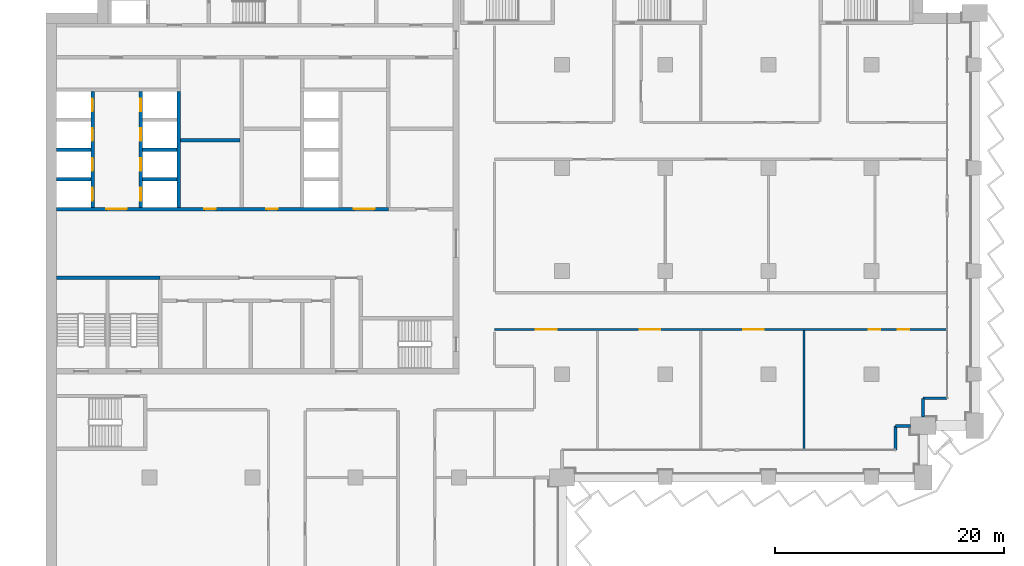
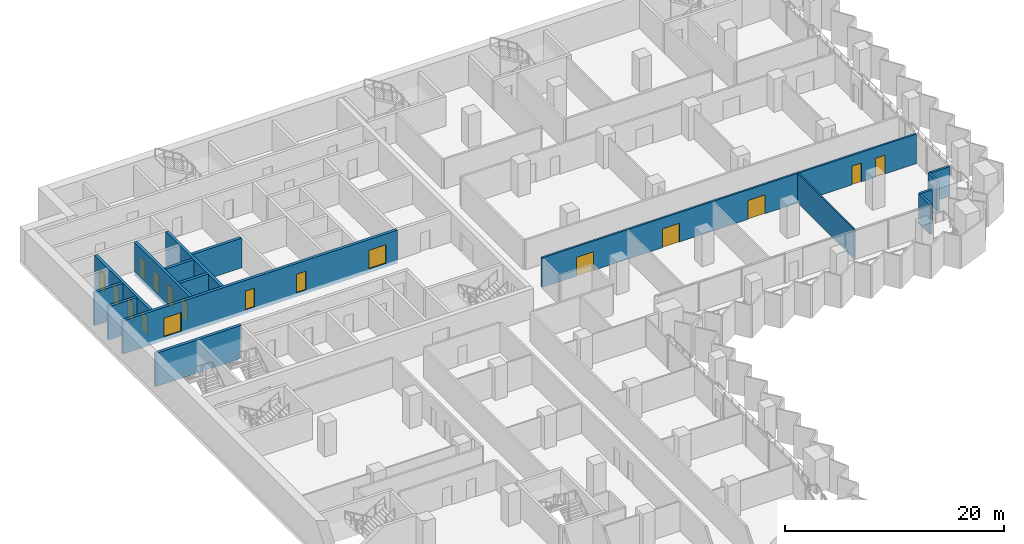
# One storey, part 12 of 22: 17 doors, 16 walls, 17 openings.
"""IFC4 building model written with IfcOpenShell, lengths in metres."""

import ifcopenshell
import ifcopenshell.guid

model = None  # the IFC model being written
_history = None  # IfcOwnerHistory: only IFC2X3 demands one
_inside = {}  # id of a spatial element -> (the spatial element, [elements in it])
_under = {}  # id of a project, library or spatial element -> (it, [spatial elements below it])
_declared = {}  # id of a project -> (the project, [libraries it declares])
_typed = {}  # id of a type object -> (the type object, [elements of that type])
_made_of = {}  # id of a material, layer set ... -> (it, [elements and type objects made of it])


def new_model(schema):
    """Start an empty IFC model of exactly this schema.

    Asked for "IFC4X3", IfcOpenShell would pick the latest addendum, in which some entities
    have other attributes; the version numbers below select the first issue.
    IFC2X3 requires an IfcOwnerHistory on every rooted entity: one is made here for all.
    """
    global model, _history
    if schema == "IFC4X3":
        model = ifcopenshell.file(schema_version=(4, 3, 0, 0))
    else:
        model = ifcopenshell.file(schema=schema)
    _inside.clear()
    _under.clear()
    _declared.clear()
    _typed.clear()
    _made_of.clear()
    _history = None
    if model.schema == "IFC2X3":
        org = make("IfcOrganization", Name="unknown")
        user = make(
            "IfcPersonAndOrganization",
            ThePerson=make("IfcPerson", FamilyName="unknown"),
            TheOrganization=org,
        )
        app = make(
            "IfcApplication",
            ApplicationDeveloper=org,
            Version="unknown",
            ApplicationFullName="unknown",
            ApplicationIdentifier="unknown",
        )
        _history = make(
            "IfcOwnerHistory",
            OwningUser=user,
            OwningApplication=app,
            ChangeAction="ADDED",
            CreationDate=0,
        )
    return model


def make(cls, **values):
    """One entity of the class cls with the attributes given. An attribute that is None is left unset."""
    return model.create_entity(
        cls, **{name: value for name, value in values.items() if value is not None}
    )


def rooted(cls, **values):
    """An entity with a GlobalId (a new one), such as an element, a storey or a relation."""
    return make(cls, GlobalId=ifcopenshell.guid.new(), OwnerHistory=_history, **values)


def si_unit(unit_type, name, prefix=None):
    """IfcSIUnit, for example si_unit("LENGTHUNIT", "METRE", prefix="MILLI")."""
    return make("IfcSIUnit", UnitType=unit_type, Prefix=prefix, Name=name)


def assignment(units):
    """IfcUnitAssignment: the units of a project."""
    return None if units is None else make("IfcUnitAssignment", Units=units)


def point(xyz):
    """IfcCartesianPoint."""
    return None if xyz is None else make("IfcCartesianPoint", Coordinates=xyz)


def direction(xyz):
    """IfcDirection."""
    return None if xyz is None else make("IfcDirection", DirectionRatios=xyz)


def frame(location, z_axis=None, x_axis=None):
    """IfcAxis2Placement3D, a coordinate frame: its origin and axes. An axis left out is left unset."""
    return make(
        "IfcAxis2Placement3D",
        Location=point(location),
        Axis=direction(z_axis),
        RefDirection=direction(x_axis),
    )


def frame_2d(location, x_axis=None):
    """IfcAxis2Placement2D, a coordinate frame in the plane: its origin and x axis."""
    return make(
        "IfcAxis2Placement2D", Location=point(location), RefDirection=direction(x_axis)
    )


def origin():
    """The frame at (0, 0, 0) with its axes left unset."""
    return frame((0.0, 0.0, 0.0))


def place(relative_to, where):
    """IfcLocalPlacement: puts the frame where relative to a parent placement (None: the world)."""
    return make(
        "IfcLocalPlacement", PlacementRelTo=relative_to, RelativePlacement=where
    )


def context(
    kind, dimensions, precision=None, world=None, true_north=None, identifier=None
):
    """IfcGeometricRepresentationContext, for example the 3D "Model" context."""
    return make(
        "IfcGeometricRepresentationContext",
        ContextIdentifier=identifier,
        ContextType=kind,
        CoordinateSpaceDimension=dimensions,
        Precision=precision,
        WorldCoordinateSystem=world,
        TrueNorth=true_north,
    )


def subcontext(parent, identifier, kind, view, scale=None):
    """IfcGeometricRepresentationSubContext, for example "Body" below "Model"."""
    return make(
        "IfcGeometricRepresentationSubContext",
        ContextIdentifier=identifier,
        ContextType=kind,
        ParentContext=parent,
        TargetScale=scale,
        TargetView=view,
    )


def project(units=None, contexts=None):
    """IfcProject with its units and contexts."""
    return rooted(
        "IfcProject",
        Name="project",
        RepresentationContexts=contexts,
        UnitsInContext=assignment(units),
    )


def spatial(cls, under=None, at=None, **own):
    """A site, building, storey or space (cls), placed at a placement, below another one or the project."""
    s = rooted(cls, ObjectPlacement=at, **own)
    if under is not None:
        _under.setdefault(under.id(), (under, []))[1].append(s)
    return s


def profile(cls, at=None, kind="AREA", **sizes):
    """A parametric profile (cls). Its sizes go by their IFC names, for example OverallWidth=200.0."""
    return make(cls, ProfileType=kind, Position=at, **sizes)


def rectangle(**sizes):
    """IfcRectangleProfileDef."""
    return profile("IfcRectangleProfileDef", **sizes)


def extrude(swept, where, along, depth):
    """IfcExtrudedAreaSolid: the profile swept, set in the frame where, extruded along a direction by depth."""
    return make(
        "IfcExtrudedAreaSolid",
        SweptArea=swept,
        Position=where,
        ExtrudedDirection=direction(along),
        Depth=depth,
    )


def shape(context_of_items, identifier, shape_type, items):
    """IfcShapeRepresentation: the items that make up one representation, for example the "Body"."""
    return make(
        "IfcShapeRepresentation",
        ContextOfItems=context_of_items,
        RepresentationIdentifier=identifier,
        RepresentationType=shape_type,
        Items=items,
    )


def material(Name=None, Category=None):
    """IfcMaterial."""
    return make("IfcMaterial", Name=Name, Category=Category)


def layer(
    of_material, thickness, ventilated=None, Name=None, Category=None, Priority=None
):
    """IfcMaterialLayer: one layer of a wall or slab, of a material (None: an air gap)."""
    return make(
        "IfcMaterialLayer",
        Material=of_material,
        LayerThickness=thickness,
        IsVentilated=ventilated,
        Name=Name,
        Category=Category,
        Priority=Priority,
    )


def layer_set(layers, Name=None):
    """IfcMaterialLayerSet."""
    return make("IfcMaterialLayerSet", MaterialLayers=layers, LayerSetName=Name)


def made_of(thing, what):
    """Note that an element or type object is made of a material, layer set ...; save() writes the relation."""
    if what is not None:
        _made_of.setdefault(what.id(), (what, []))[1].append(thing)
    return thing


def type_object(cls, material=None, **own):
    """A type object (cls), such as IfcWallType, which elements share."""
    return made_of(rooted(cls, **own), material)


def element(
    cls,
    number,
    at=None,
    inside=None,
    cuts=None,
    type_object=None,
    material=None,
    context=None,
    identifier="Body",
    shape_type=None,
    held_by="IfcProductDefinitionShape",
    body=None,
    shapes=None,
    **own,
):
    """One element of the class cls, such as IfcWall. Its Tag is "e" and its number.

    at: its placement. inside: the storey or other place that contains it. cuts: it is an
    opening in that element (IfcRelVoidsElement). A single representation is given by context,
    identifier, shape_type and body (its items); several are given by shapes. held_by: the class
    of the entity that holds the representations. save() writes the other relations.
    """
    e = rooted(cls, Tag="e%d" % number, ObjectPlacement=at, **own)
    if body is not None:
        shapes = [shape(context, identifier, shape_type, body)]
    if shapes is not None:
        e.Representation = make(held_by, Representations=shapes)
    if inside is not None:
        _inside.setdefault(inside.id(), (inside, []))[1].append(e)
    if cuts is not None:
        rooted(
            "IfcRelVoidsElement", RelatingBuildingElement=cuts, RelatedOpeningElement=e
        )
    if type_object is not None:
        _typed.setdefault(type_object.id(), (type_object, []))[1].append(e)
    return made_of(e, material)


def fill(opening, filler):
    """IfcRelFillsElement: the door or window that sits in an opening."""
    return rooted(
        "IfcRelFillsElement",
        RelatingOpeningElement=opening,
        RelatedBuildingElement=filler,
    )


def aggregate(whole, parts):
    """IfcRelAggregates: a whole, such as a stair, and the parts it consists of."""
    return rooted("IfcRelAggregates", RelatingObject=whole, RelatedObjects=parts)


def save(model, path):
    """Write the relations noted so far, then the file.

    IfcRelAggregates (storeys below a building ...), IfcRelContainedInSpatialStructure (elements
    in a storey), IfcRelDefinesByType, IfcRelAssociatesMaterial and IfcRelDeclares: one each for
    every whole, place, type object, material and project.
    """
    for whole, parts in _under.values():
        aggregate(whole, parts)
    for where, things in _inside.values():
        rooted(
            "IfcRelContainedInSpatialStructure",
            RelatedElements=things,
            RelatingStructure=where,
        )
    for kind, things in _typed.values():
        rooted("IfcRelDefinesByType", RelatedObjects=things, RelatingType=kind)
    for what, things in _made_of.values():
        rooted("IfcRelAssociatesMaterial", RelatedObjects=things, RelatingMaterial=what)
    for by, libraries in _declared.values():
        rooted("IfcRelDeclares", RelatingContext=by, RelatedDefinitions=libraries)
    model.write(path)


model = new_model("IFC4")

# Units and contexts
model_context = context("Model", 3, precision=1e-05, world=origin(), true_north=direction((0.0, 1.0)))
body_context = subcontext(model_context, "Body", "Model", "MODEL_VIEW")
ifc_project = project(units=[si_unit("LENGTHUNIT", "METRE"), si_unit("AREAUNIT", "SQUARE_METRE"), si_unit("VOLUMEUNIT", "CUBIC_METRE"), si_unit("PLANEANGLEUNIT", "RADIAN"), si_unit("MASSUNIT", "GRAM", prefix="KILO")], contexts=[model_context])

# Site, building, storey
site_placement = place(None, origin())
site = spatial("IfcSite", under=ifc_project, at=site_placement, CompositionType="ELEMENT")
building_placement = place(site_placement, origin())
building = spatial("IfcBuilding", under=site, at=building_placement, Name="Hunhe Ridgeline Campus", CompositionType="ELEMENT")
storey_placement = place(building_placement, frame((0.0, 0.0, 92.199951171875)))
storey = spatial("IfcBuildingStorey", under=building, at=storey_placement, Name="L22", CompositionType="ELEMENT", Elevation=92.199951171875)

# Walls
ifc_material_1 = material(Name="Masonry concrete blockwork", Category="masonry")
ifc_layer_1 = layer(ifc_material_1, 0.300048828125)
ifc_layer_set_1 = layer_set([ifc_layer_1], Name="Core room partition 300 concrete block")
wall_type_1 = type_object("IfcWallType", Name="Core room partition 300 concrete block", PredefinedType="PARTITIONING", material=ifc_layer_set_1)
wall_1_placement = place(storey_placement, frame((11.699951171875, 83.39990234375, 0.0), z_axis=(0.0, 0.0, 1.0), x_axis=(1.0, 0.0, 0.0)))
element("IfcWall", 1, at=wall_1_placement, inside=storey, type_object=wall_type_1, Name="L22 core partition 20", PredefinedType="PARTITIONING", context=body_context, shape_type="SweptSolid", body=[
    extrude(rectangle(XDim=5.199951171875, YDim=0.300048828125, at=frame_2d((2.60009765625, 0.0))), origin(), (0.0, 0.0, 1.0), 3.300048828125),
])
ifc_material_2 = material(Name="Concrete C30", Category="concrete")
ifc_layer_2 = layer(ifc_material_2, 0.25)
ifc_layer_set_2 = layer_set([ifc_layer_2], Name="Corner return wall 250 Concrete C30")
wall_type_2 = type_object("IfcWallType", Name="Corner return wall 250 Concrete C30", PredefinedType="SOLIDWALL", material=ifc_layer_set_2)
wall_2_placement = place(storey_placement, frame((74.09912109375, 56.40087890625, 0.0), z_axis=(0.0, 0.0, 1.0), x_axis=(0.00011626555, 0.999999993241, 0.0)))
element("IfcWall", 2, at=wall_2_placement, inside=storey, type_object=wall_type_2, Name="Corner return wall 4", PredefinedType="SOLIDWALL", context=body_context, shape_type="SweptSolid", body=[
    extrude(rectangle(XDim=2.099853515625, YDim=0.25, at=frame_2d((1.0498046875, 0.0))), origin(), (0.0, 0.0, 1.0), 3.300048828125),
])
wall_3_placement = place(storey_placement, frame((74.099365234375, 58.500732421875, 0.0), z_axis=(0.0, 0.0, 1.0), x_axis=(0.99999998238, 0.000187722918, 0.0)))
element("IfcWall", 3, at=wall_3_placement, inside=storey, type_object=wall_type_2, Name="Corner return wall 5", PredefinedType="SOLIDWALL", context=body_context, shape_type="SweptSolid", body=[
    extrude(rectangle(XDim=1.300537109375, YDim=0.25, at=frame_2d((0.650390625, 0.0))), origin(), (0.0, 0.0, 1.0), 3.300048828125),
])
wall_4_placement = place(storey_placement, frame((76.4990234375, 59.25, 0.0), z_axis=(0.0, 0.0, 1.0), x_axis=(0.000147907113, 0.999999989062, 0.0)))
element("IfcWall", 4, at=wall_4_placement, inside=storey, type_object=wall_type_2, Name="Corner return wall 6", PredefinedType="SOLIDWALL", context=body_context, shape_type="SweptSolid", body=[
    extrude(rectangle(XDim=1.650634765625, YDim=0.25, at=frame_2d((0.8251953125, 0.0))), origin(), (0.0, 0.0, 1.0), 3.300048828125),
])
wall_5_placement = place(storey_placement, frame((76.499267578125, 60.900634765625, 0.0), z_axis=(0.0, 0.0, 1.0), x_axis=(0.999999993241, 0.00011626555, 0.0)))
element("IfcWall", 5, at=wall_5_placement, inside=storey, type_object=wall_type_2, Name="Corner return wall 7", PredefinedType="SOLIDWALL", context=body_context, shape_type="SweptSolid", body=[
    extrude(rectangle(XDim=2.099853515625, YDim=0.25, at=frame_2d((1.0498046875, 0.0))), origin(), (0.0, 0.0, 1.0), 3.300048828125),
])

# Wall, openings, doors
ifc_material_3 = material(Name="Gypsum board partition")
ifc_layer_3 = layer(ifc_material_3, 0.199951171875)
ifc_layer_set_3 = layer_set([ifc_layer_3], Name="Corridor partition 200 gypsum board on steel studs")
wall_type_3 = type_object("IfcWallType", Name="Corridor partition 200 gypsum board on steel studs", PredefinedType="PARTITIONING", material=ifc_layer_set_3)
wall_6_placement = place(storey_placement, frame((78.544921875, 66.89990234375, 0.0), z_axis=(0.0, 0.0, 1.0), x_axis=(-1.0, 0.0, 0.0)))
wall_6 = element("IfcWall", 6, at=wall_6_placement, inside=storey, type_object=wall_type_3, Name="F-L22-wall-038", PredefinedType="PARTITIONING", context=body_context, shape_type="SweptSolid", body=[
    extrude(rectangle(XDim=39.44482421875, YDim=0.199951171875, at=frame_2d((19.722412109375, 0.0))), origin(), (0.0, 0.0, 1.0), 3.300048828125),
])
opening_1_placement = place(wall_6_placement, frame((34.022705078125, 0.0, 0.0)))
opening_1 = element("IfcOpeningElement", 7, at=opening_1_placement, cuts=wall_6, Name="Opening RD2-022", PredefinedType="OPENING", context=body_context, shape_type="SweptSolid", body=[
    extrude(rectangle(XDim=1.800048828125, YDim=2.10009765625, at=frame_2d((0.89990234375, 1.050048828125))), frame((0.0, 0.10009765625, 0.0), z_axis=(0.0, -1.0, 0.0), x_axis=(1.0, 0.0, 0.0)), (0.0, 0.0, 1.0), 0.199951171875),
])
opening_2_placement = place(wall_6_placement, frame((24.977783203125, 0.0, 0.0)))
opening_2 = element("IfcOpeningElement", 8, at=opening_2_placement, cuts=wall_6, Name="Opening RD2-023", PredefinedType="OPENING", context=body_context, shape_type="SweptSolid", body=[
    extrude(rectangle(XDim=1.800048828125, YDim=2.10009765625, at=frame_2d((0.89990234375, 1.050048828125))), frame((0.0, 0.10009765625, 0.0), z_axis=(0.0, -1.0, 0.0), x_axis=(1.0, 0.0, 0.0)), (0.0, 0.0, 1.0), 0.199951171875),
])
opening_3_placement = place(wall_6_placement, frame((15.93310546875, 0.0, 0.0)))
opening_3 = element("IfcOpeningElement", 9, at=opening_3_placement, cuts=wall_6, Name="Opening RD2-024", PredefinedType="OPENING", context=body_context, shape_type="SweptSolid", body=[
    extrude(rectangle(XDim=1.800048828125, YDim=2.10009765625, at=frame_2d((0.89990234375, 1.050048828125))), frame((0.0, 0.10009765625, 0.0), z_axis=(0.0, -1.0, 0.0), x_axis=(1.0, 0.0, 0.0)), (0.0, 0.0, 1.0), 0.199951171875),
])
opening_4_placement = place(wall_6_placement, frame((5.781005859375, 0.0, 0.0)))
opening_4 = element("IfcOpeningElement", 10, at=opening_4_placement, cuts=wall_6, Name="Opening RD1-025", PredefinedType="OPENING", context=body_context, shape_type="SweptSolid", body=[
    extrude(rectangle(XDim=1.0, YDim=2.10009765625, at=frame_2d((0.5, 1.050048828125))), frame((0.0, 0.10009765625, 0.0), z_axis=(0.0, -1.0, 0.0), x_axis=(1.0, 0.0, 0.0)), (0.0, 0.0, 1.0), 0.199951171875),
])
opening_5_placement = place(wall_6_placement, frame((3.281005859375, 0.0, 0.0)))
opening_5 = element("IfcOpeningElement", 11, at=opening_5_placement, cuts=wall_6, Name="Opening RD1-026", PredefinedType="OPENING", context=body_context, shape_type="SweptSolid", body=[
    extrude(rectangle(XDim=1.0, YDim=2.10009765625, at=frame_2d((0.5, 1.050048828125))), frame((0.0, 0.10009765625, 0.0), z_axis=(0.0, -1.0, 0.0), x_axis=(1.0, 0.0, 0.0)), (0.0, 0.0, 1.0), 0.199951171875),
])
ifc_material_4 = material(Name="Timber door leaf", Category="wood")
door_type_1 = type_object("IfcDoorType", Name="Double fire door 1800x2100 timber FD60", OperationType="DOUBLE_DOOR_SINGLE_SWING", PredefinedType="DOOR", material=ifc_material_4)
door_1_placement = place(opening_1_placement, origin())
door_1 = element("IfcDoor", 12, at=door_1_placement, inside=storey, type_object=door_type_1, Name="F-L22-door-022", OperationType="DOUBLE_DOOR_SINGLE_SWING", OverallHeight=2.10009765625, OverallWidth=1.800048828125, PredefinedType="DOOR", context=body_context, shape_type="SweptSolid", body=[
    extrude(rectangle(XDim=1.800048828125, YDim=2.10009765625, at=frame_2d((0.89990234375, 1.050048828125))), frame((0.0, 0.02490234375, 0.0), z_axis=(0.0, -1.0, 0.0), x_axis=(1.0, 0.0, 0.0)), (0.0, 0.0, 1.0), 0.050048828125),
])
fill(opening_1, door_1)
door_2_placement = place(opening_2_placement, origin())
door_2 = element("IfcDoor", 13, at=door_2_placement, inside=storey, type_object=door_type_1, Name="F-L22-door-023", OperationType="DOUBLE_DOOR_SINGLE_SWING", OverallHeight=2.10009765625, OverallWidth=1.800048828125, PredefinedType="DOOR", context=body_context, shape_type="SweptSolid", body=[
    extrude(rectangle(XDim=1.800048828125, YDim=2.10009765625, at=frame_2d((0.89990234375, 1.050048828125))), frame((0.0, 0.02490234375, 0.0), z_axis=(0.0, -1.0, 0.0), x_axis=(1.0, 0.0, 0.0)), (0.0, 0.0, 1.0), 0.050048828125),
])
fill(opening_2, door_2)
door_3_placement = place(opening_3_placement, origin())
door_3 = element("IfcDoor", 14, at=door_3_placement, inside=storey, type_object=door_type_1, Name="F-L22-door-024", OperationType="DOUBLE_DOOR_SINGLE_SWING", OverallHeight=2.10009765625, OverallWidth=1.800048828125, PredefinedType="DOOR", context=body_context, shape_type="SweptSolid", body=[
    extrude(rectangle(XDim=1.800048828125, YDim=2.10009765625, at=frame_2d((0.89990234375, 1.050048828125))), frame((0.0, 0.02490234375, 0.0), z_axis=(0.0, -1.0, 0.0), x_axis=(1.0, 0.0, 0.0)), (0.0, 0.0, 1.0), 0.050048828125),
])
fill(opening_3, door_3)
door_type_2 = type_object("IfcDoorType", Name="Single fire door 1000x2100 timber FD60", OperationType="NOTDEFINED", PredefinedType="DOOR", material=ifc_material_4)
door_4_placement = place(opening_4_placement, frame((1.0, 0.0, 0.0), z_axis=(0.0, 0.0, 1.0), x_axis=(-1.0, 0.0, 0.0)))
door_4 = element("IfcDoor", 15, at=door_4_placement, inside=storey, type_object=door_type_2, Name="F-L22-door-025", OperationType="SINGLE_SWING_RIGHT", OverallHeight=2.10009765625, OverallWidth=1.0, PredefinedType="DOOR", context=body_context, shape_type="SweptSolid", body=[
    extrude(rectangle(XDim=1.0, YDim=2.10009765625, at=frame_2d((0.5, 1.050048828125))), frame((0.0, 0.02490234375, 0.0), z_axis=(0.0, -1.0, 0.0), x_axis=(1.0, 0.0, 0.0)), (0.0, 0.0, 1.0), 0.050048828125),
])
fill(opening_4, door_4)
door_5_placement = place(opening_5_placement, frame((1.0, 0.0, 0.0), z_axis=(0.0, 0.0, 1.0), x_axis=(-1.0, 0.0, 0.0)))
door_5 = element("IfcDoor", 16, at=door_5_placement, inside=storey, type_object=door_type_2, Name="F-L22-door-026", OperationType="SINGLE_SWING_RIGHT", OverallHeight=2.10009765625, OverallWidth=1.0, PredefinedType="DOOR", context=body_context, shape_type="SweptSolid", body=[
    extrude(rectangle(XDim=1.0, YDim=2.10009765625, at=frame_2d((0.5, 1.050048828125))), frame((0.0, 0.02490234375, 0.0), z_axis=(0.0, -1.0, 0.0), x_axis=(1.0, 0.0, 0.0)), (0.0, 0.0, 1.0), 0.050048828125),
])
fill(opening_5, door_5)

# Wall
ifc_layer_4 = layer(ifc_material_3, 0.14990234375)
ifc_layer_set_4 = layer_set([ifc_layer_4], Name="Room partition 150 gypsum board on steel studs")
wall_type_4 = type_object("IfcWallType", Name="Room partition 150 gypsum board on steel studs", PredefinedType="PARTITIONING", material=ifc_layer_set_4)
wall_7_placement = place(storey_placement, frame((66.10009765625, 66.800048828125, 0.0), z_axis=(0.0, 0.0, 1.0), x_axis=(0.0, -1.0, 0.0)))
element("IfcWall", 17, at=wall_7_placement, inside=storey, type_object=wall_type_4, Name="F-L22-wall-069", PredefinedType="PARTITIONING", context=body_context, shape_type="SweptSolid", body=[
    extrude(rectangle(XDim=10.344970703125, YDim=0.14990234375, at=frame_2d((5.17236328125, 0.0))), origin(), (0.0, 0.0, 1.0), 3.300048828125),
])

# Wall, openings, doors
ifc_material_5 = material(Name="Concrete C80", Category="concrete")
ifc_layer_5 = layer(ifc_material_5, 0.300048828125)
ifc_layer_set_5 = layer_set([ifc_layer_5], Name="Shaft wall 300 reinforced concrete C80")
wall_type_5 = type_object("IfcWallType", Name="Shaft wall 300 reinforced concrete C80", PredefinedType="SOLIDWALL", material=ifc_layer_set_5)
wall_8_placement = place(storey_placement, frame((0.89990234375, 77.39990234375, -0.39990234375), z_axis=(0.0, 0.0, 1.0), x_axis=(1.0, 0.0, 0.0)))
wall_8 = element("IfcWall", 18, at=wall_8_placement, inside=storey, type_object=wall_type_5, Name="L22 core wall 12", PredefinedType="SOLIDWALL", context=body_context, shape_type="SweptSolid", body=[
    extrude(rectangle(XDim=28.9501953125, YDim=0.300048828125, at=frame_2d((14.47509765625, 0.0))), origin(), (0.0, 0.0, 1.0), 3.699951171875),
])
opening_6_placement = place(wall_8_placement, frame((4.35009765625, 0.0, 0.39990234375)))
opening_6 = element("IfcOpeningElement", 19, at=opening_6_placement, cuts=wall_8, Name="Opening CD1", PredefinedType="OPENING", context=body_context, shape_type="SweptSolid", body=[
    extrude(rectangle(XDim=1.800048828125, YDim=2.10009765625, at=frame_2d((0.89990234375, 1.050048828125))), frame((0.0, 0.14990234375, 0.0), z_axis=(0.0, -1.0, 0.0), x_axis=(1.0, 0.0, 0.0)), (0.0, 0.0, 1.0), 0.300048828125),
])
opening_7_placement = place(wall_8_placement, frame((25.949951171875, 0.0, 0.39990234375)))
opening_7 = element("IfcOpeningElement", 20, at=opening_7_placement, cuts=wall_8, Name="Opening CD2", PredefinedType="OPENING", context=body_context, shape_type="SweptSolid", body=[
    extrude(rectangle(XDim=1.800048828125, YDim=2.10009765625, at=frame_2d((0.89990234375, 1.050048828125))), frame((0.0, 0.14990234375, 0.0), z_axis=(0.0, -1.0, 0.0), x_axis=(1.0, 0.0, 0.0)), (0.0, 0.0, 1.0), 0.300048828125),
])
opening_8_placement = place(wall_8_placement, frame((12.89990234375, 0.0, 0.39990234375)))
opening_8 = element("IfcOpeningElement", 21, at=opening_8_placement, cuts=wall_8, Name="Opening CD28", PredefinedType="OPENING", context=body_context, shape_type="SweptSolid", body=[
    extrude(rectangle(XDim=1.0, YDim=2.10009765625, at=frame_2d((0.5, 1.050048828125))), frame((0.0, 0.14990234375, 0.0), z_axis=(0.0, -1.0, 0.0), x_axis=(1.0, 0.0, 0.0)), (0.0, 0.0, 1.0), 0.300048828125),
])
opening_9_placement = place(wall_8_placement, frame((18.300048828125, 0.0, 0.39990234375)))
opening_9 = element("IfcOpeningElement", 22, at=opening_9_placement, cuts=wall_8, Name="Opening CD30", PredefinedType="OPENING", context=body_context, shape_type="SweptSolid", body=[
    extrude(rectangle(XDim=1.0, YDim=2.10009765625, at=frame_2d((0.5, 1.050048828125))), frame((0.0, 0.14990234375, 0.0), z_axis=(0.0, -1.0, 0.0), x_axis=(1.0, 0.0, 0.0)), (0.0, 0.0, 1.0), 0.300048828125),
])
ifc_material_6 = material(Name="Hollow metal fire door leaf")
door_type_3 = type_object("IfcDoorType", Name="Lobby door 1800x2100 FD60", OperationType="SINGLE_SWING_LEFT", PredefinedType="DOOR", material=ifc_material_6)
door_6_placement = place(opening_6_placement, frame((1.800048828125, 0.0, 0.0), z_axis=(0.0, 0.0, 1.0), x_axis=(-1.0, 0.0, 0.0)))
door_6 = element("IfcDoor", 23, at=door_6_placement, inside=storey, type_object=door_type_3, Name="L22 door LOB-LR", OperationType="SINGLE_SWING_RIGHT", OverallHeight=2.10009765625, OverallWidth=1.800048828125, PredefinedType="DOOR", context=body_context, shape_type="SweptSolid", body=[
    extrude(rectangle(XDim=1.800048828125, YDim=2.10009765625, at=frame_2d((0.89990234375, 1.050048828125))), frame((0.0, 0.02490234375, 0.0), z_axis=(0.0, -1.0, 0.0), x_axis=(1.0, 0.0, 0.0)), (0.0, 0.0, 1.0), 0.050048828125),
])
fill(opening_6, door_6)
door_7_placement = place(opening_7_placement, frame((1.800048828125, 0.0, 0.0), z_axis=(0.0, 0.0, 1.0), x_axis=(-1.0, 0.0, 0.0)))
door_7 = element("IfcDoor", 24, at=door_7_placement, inside=storey, type_object=door_type_3, Name="L22 door LOB-SH", OperationType="SINGLE_SWING_LEFT", OverallHeight=2.10009765625, OverallWidth=1.800048828125, PredefinedType="DOOR", context=body_context, shape_type="SweptSolid", body=[
    extrude(rectangle(XDim=1.800048828125, YDim=2.10009765625, at=frame_2d((0.89990234375, 1.050048828125))), frame((0.0, 0.02490234375, 0.0), z_axis=(0.0, -1.0, 0.0), x_axis=(1.0, 0.0, 0.0)), (0.0, 0.0, 1.0), 0.050048828125),
])
fill(opening_7, door_7)
ifc_material_7 = material(Name="Solid core timber door leaf", Category="wood")
door_type_4 = type_object("IfcDoorType", Name="Timber door 1000x2100", OperationType="SINGLE_SWING_LEFT", PredefinedType="DOOR", material=ifc_material_7)
door_8_placement = place(opening_8_placement, origin())
door_8 = element("IfcDoor", 25, at=door_8_placement, inside=storey, type_object=door_type_4, Name="L22 door VD-HR0", OperationType="SINGLE_SWING_LEFT", OverallHeight=2.10009765625, OverallWidth=1.0, PredefinedType="DOOR", context=body_context, shape_type="SweptSolid", body=[
    extrude(rectangle(XDim=1.0, YDim=2.10009765625, at=frame_2d((0.5, 1.050048828125))), frame((0.0, 0.02490234375, 0.0), z_axis=(0.0, -1.0, 0.0), x_axis=(1.0, 0.0, 0.0)), (0.0, 0.0, 1.0), 0.050048828125),
])
fill(opening_8, door_8)
door_9_placement = place(opening_9_placement, origin())
door_9 = element("IfcDoor", 26, at=door_9_placement, inside=storey, type_object=door_type_4, Name="L22 door VD-HR2", OperationType="SINGLE_SWING_LEFT", OverallHeight=2.10009765625, OverallWidth=1.0, PredefinedType="DOOR", context=body_context, shape_type="SweptSolid", body=[
    extrude(rectangle(XDim=1.0, YDim=2.10009765625, at=frame_2d((0.5, 1.050048828125))), frame((0.0, 0.02490234375, 0.0), z_axis=(0.0, -1.0, 0.0), x_axis=(1.0, 0.0, 0.0)), (0.0, 0.0, 1.0), 0.050048828125),
])
fill(opening_9, door_9)

# Walls
for number, where, z_axis, x_axis, name in (
    (27, (0.89990234375, 80.0, -0.39990234375), (0.0, 0.0, 1.0), (1.0, 0.0, 0.0), "L22 core wall 14"),
    (28, (8.39990234375, 80.0, -0.39990234375), (0.0, 0.0, 1.0), (1.0, 0.0, 0.0), "L22 core wall 15"),
    (29, (0.89990234375, 82.60009765625, -0.39990234375), (0.0, 0.0, 1.0), (1.0, 0.0, 0.0), "L22 core wall 17"),
    (30, (8.39990234375, 82.60009765625, -0.39990234375), (0.0, 0.0, 1.0), (1.0, 0.0, 0.0), "L22 core wall 18"),
):
    element("IfcWall", number, at=place(storey_placement, frame(where, z_axis=z_axis, x_axis=x_axis)), inside=storey, type_object=wall_type_5, Name=name, PredefinedType="SOLIDWALL", context=body_context, shape_type="SweptSolid", body=[
        extrude(rectangle(XDim=3.0, YDim=0.300048828125, at=frame_2d((1.5, 0.0))), origin(), (0.0, 0.0, 1.0), 3.699951171875),
    ])

# Wall, openings, doors
wall_9_placement = place(storey_placement, frame((4.050048828125, 77.550048828125, -0.39990234375), z_axis=(0.0, 0.0, 1.0), x_axis=(0.0, 1.0, 0.0)))
wall_9 = element("IfcWall", 31, at=wall_9_placement, inside=storey, type_object=wall_type_5, Name="L22 core wall 34", PredefinedType="SOLIDWALL", context=body_context, shape_type="SweptSolid", body=[
    extrude(rectangle(XDim=10.099853515625, YDim=0.300048828125, at=frame_2d((5.0498046875, 0.0))), origin(), (0.0, 0.0, 1.0), 3.699951171875),
])
opening_10_placement = place(wall_9_placement, frame((0.60009765625, 0.0, 0.39990234375)))
opening_10 = element("IfcOpeningElement", 32, at=opening_10_placement, cuts=wall_9, Name="Opening LD-LR1", PredefinedType="OPENING", context=body_context, shape_type="SweptSolid", body=[
    extrude(rectangle(XDim=1.10009765625, YDim=2.10009765625, at=frame_2d((0.550048828125, 1.050048828125))), frame((0.0, 0.14990234375, 0.0), z_axis=(0.0, -1.0, 0.0), x_axis=(1.0, 0.0, 0.0)), (0.0, 0.0, 1.0), 0.300048828125),
])
opening_11_placement = place(wall_9_placement, frame((3.199951171875, 0.0, 0.39990234375)))
opening_11 = element("IfcOpeningElement", 33, at=opening_11_placement, cuts=wall_9, Name="Opening LD-LR2", PredefinedType="OPENING", context=body_context, shape_type="SweptSolid", body=[
    extrude(rectangle(XDim=1.10009765625, YDim=2.10009765625, at=frame_2d((0.550048828125, 1.050048828125))), frame((0.0, 0.14990234375, 0.0), z_axis=(0.0, -1.0, 0.0), x_axis=(1.0, 0.0, 0.0)), (0.0, 0.0, 1.0), 0.300048828125),
])
opening_12_placement = place(wall_9_placement, frame((5.800048828125, 0.0, 0.39990234375)))
opening_12 = element("IfcOpeningElement", 34, at=opening_12_placement, cuts=wall_9, Name="Opening LD-LR3", PredefinedType="OPENING", context=body_context, shape_type="SweptSolid", body=[
    extrude(rectangle(XDim=1.10009765625, YDim=2.10009765625, at=frame_2d((0.550048828125, 1.050048828125))), frame((0.0, 0.14990234375, 0.0), z_axis=(0.0, -1.0, 0.0), x_axis=(1.0, 0.0, 0.0)), (0.0, 0.0, 1.0), 0.300048828125),
])
opening_13_placement = place(wall_9_placement, frame((8.39990234375, 0.0, 0.39990234375)))
opening_13 = element("IfcOpeningElement", 35, at=opening_13_placement, cuts=wall_9, Name="Opening LD-LR4", PredefinedType="OPENING", context=body_context, shape_type="SweptSolid", body=[
    extrude(rectangle(XDim=1.10009765625, YDim=2.10009765625, at=frame_2d((0.550048828125, 1.050048828125))), frame((0.0, 0.14990234375, 0.0), z_axis=(0.0, -1.0, 0.0), x_axis=(1.0, 0.0, 0.0)), (0.0, 0.0, 1.0), 0.300048828125),
])
ifc_material_8 = material(Name="Stainless steel sliding leaves", Category="steel")
door_type_5 = type_object("IfcDoorType", Name="Landing door 1100x2100 FD120", OperationType="SLIDING_TO_LEFT", PredefinedType="DOOR", material=ifc_material_8)
door_10_placement = place(opening_10_placement, origin())
door_10 = element("IfcDoor", 36, at=door_10_placement, inside=storey, type_object=door_type_5, Name="L22 landing door LR1", OperationType="SLIDING_TO_RIGHT", OverallHeight=2.10009765625, OverallWidth=1.10009765625, PredefinedType="DOOR", context=body_context, shape_type="SweptSolid", body=[
    extrude(rectangle(XDim=1.10009765625, YDim=2.10009765625, at=frame_2d((0.550048828125, 1.050048828125))), frame((0.0, 0.02490234375, 0.0), z_axis=(0.0, -1.0, 0.0), x_axis=(1.0, 0.0, 0.0)), (0.0, 0.0, 1.0), 0.050048828125),
])
fill(opening_10, door_10)
door_11_placement = place(opening_11_placement, origin())
door_11 = element("IfcDoor", 37, at=door_11_placement, inside=storey, type_object=door_type_5, Name="L22 landing door LR2", OperationType="SLIDING_TO_LEFT", OverallHeight=2.10009765625, OverallWidth=1.10009765625, PredefinedType="DOOR", context=body_context, shape_type="SweptSolid", body=[
    extrude(rectangle(XDim=1.10009765625, YDim=2.10009765625, at=frame_2d((0.550048828125, 1.050048828125))), frame((0.0, 0.02490234375, 0.0), z_axis=(0.0, -1.0, 0.0), x_axis=(1.0, 0.0, 0.0)), (0.0, 0.0, 1.0), 0.050048828125),
])
fill(opening_11, door_11)
door_12_placement = place(opening_12_placement, origin())
door_12 = element("IfcDoor", 38, at=door_12_placement, inside=storey, type_object=door_type_5, Name="L22 landing door LR3", OperationType="SLIDING_TO_RIGHT", OverallHeight=2.10009765625, OverallWidth=1.10009765625, PredefinedType="DOOR", context=body_context, shape_type="SweptSolid", body=[
    extrude(rectangle(XDim=1.10009765625, YDim=2.10009765625, at=frame_2d((0.550048828125, 1.050048828125))), frame((0.0, 0.02490234375, 0.0), z_axis=(0.0, -1.0, 0.0), x_axis=(1.0, 0.0, 0.0)), (0.0, 0.0, 1.0), 0.050048828125),
])
fill(opening_12, door_12)
door_13_placement = place(opening_13_placement, origin())
door_13 = element("IfcDoor", 39, at=door_13_placement, inside=storey, type_object=door_type_5, Name="L22 landing door LR4", OperationType="SLIDING_TO_LEFT", OverallHeight=2.10009765625, OverallWidth=1.10009765625, PredefinedType="DOOR", context=body_context, shape_type="SweptSolid", body=[
    extrude(rectangle(XDim=1.10009765625, YDim=2.10009765625, at=frame_2d((0.550048828125, 1.050048828125))), frame((0.0, 0.02490234375, 0.0), z_axis=(0.0, -1.0, 0.0), x_axis=(1.0, 0.0, 0.0)), (0.0, 0.0, 1.0), 0.050048828125),
])
fill(opening_13, door_13)

wall_10_placement = place(storey_placement, frame((8.25, 77.550048828125, -0.39990234375), z_axis=(0.0, 0.0, 1.0), x_axis=(0.0, 1.0, 0.0)))
wall_10 = element("IfcWall", 40, at=wall_10_placement, inside=storey, type_object=wall_type_5, Name="L22 core wall 37", PredefinedType="SOLIDWALL", context=body_context, shape_type="SweptSolid", body=[
    extrude(rectangle(XDim=10.099853515625, YDim=0.300048828125, at=frame_2d((5.0498046875, 0.0))), origin(), (0.0, 0.0, 1.0), 3.699951171875),
])
opening_14_placement = place(wall_10_placement, frame((0.60009765625, 0.0, 0.39990234375)))
opening_14 = element("IfcOpeningElement", 41, at=opening_14_placement, cuts=wall_10, Name="Opening LD-LR5", PredefinedType="OPENING", context=body_context, shape_type="SweptSolid", body=[
    extrude(rectangle(XDim=1.10009765625, YDim=2.10009765625, at=frame_2d((0.550048828125, 1.050048828125))), frame((0.0, 0.14990234375, 0.0), z_axis=(0.0, -1.0, 0.0), x_axis=(1.0, 0.0, 0.0)), (0.0, 0.0, 1.0), 0.300048828125),
])
opening_15_placement = place(wall_10_placement, frame((3.199951171875, 0.0, 0.39990234375)))
opening_15 = element("IfcOpeningElement", 42, at=opening_15_placement, cuts=wall_10, Name="Opening LD-LR6", PredefinedType="OPENING", context=body_context, shape_type="SweptSolid", body=[
    extrude(rectangle(XDim=1.10009765625, YDim=2.10009765625, at=frame_2d((0.550048828125, 1.050048828125))), frame((0.0, 0.14990234375, 0.0), z_axis=(0.0, -1.0, 0.0), x_axis=(1.0, 0.0, 0.0)), (0.0, 0.0, 1.0), 0.300048828125),
])
opening_16_placement = place(wall_10_placement, frame((5.800048828125, 0.0, 0.39990234375)))
opening_16 = element("IfcOpeningElement", 43, at=opening_16_placement, cuts=wall_10, Name="Opening LD-LR7", PredefinedType="OPENING", context=body_context, shape_type="SweptSolid", body=[
    extrude(rectangle(XDim=1.10009765625, YDim=2.10009765625, at=frame_2d((0.550048828125, 1.050048828125))), frame((0.0, 0.14990234375, 0.0), z_axis=(0.0, -1.0, 0.0), x_axis=(1.0, 0.0, 0.0)), (0.0, 0.0, 1.0), 0.300048828125),
])
opening_17_placement = place(wall_10_placement, frame((8.39990234375, 0.0, 0.39990234375)))
opening_17 = element("IfcOpeningElement", 44, at=opening_17_placement, cuts=wall_10, Name="Opening LD-LR8", PredefinedType="OPENING", context=body_context, shape_type="SweptSolid", body=[
    extrude(rectangle(XDim=1.10009765625, YDim=2.10009765625, at=frame_2d((0.550048828125, 1.050048828125))), frame((0.0, 0.14990234375, 0.0), z_axis=(0.0, -1.0, 0.0), x_axis=(1.0, 0.0, 0.0)), (0.0, 0.0, 1.0), 0.300048828125),
])
door_14_placement = place(opening_14_placement, origin())
door_14 = element("IfcDoor", 45, at=door_14_placement, inside=storey, type_object=door_type_5, Name="L22 landing door LR5", OperationType="SLIDING_TO_RIGHT", OverallHeight=2.10009765625, OverallWidth=1.10009765625, PredefinedType="DOOR", context=body_context, shape_type="SweptSolid", body=[
    extrude(rectangle(XDim=1.10009765625, YDim=2.10009765625, at=frame_2d((0.550048828125, 1.050048828125))), frame((0.0, 0.02490234375, 0.0), z_axis=(0.0, -1.0, 0.0), x_axis=(1.0, 0.0, 0.0)), (0.0, 0.0, 1.0), 0.050048828125),
])
fill(opening_14, door_14)
door_15_placement = place(opening_15_placement, origin())
door_15 = element("IfcDoor", 46, at=door_15_placement, inside=storey, type_object=door_type_5, Name="L22 landing door LR6", OperationType="SLIDING_TO_LEFT", OverallHeight=2.10009765625, OverallWidth=1.10009765625, PredefinedType="DOOR", context=body_context, shape_type="SweptSolid", body=[
    extrude(rectangle(XDim=1.10009765625, YDim=2.10009765625, at=frame_2d((0.550048828125, 1.050048828125))), frame((0.0, 0.02490234375, 0.0), z_axis=(0.0, -1.0, 0.0), x_axis=(1.0, 0.0, 0.0)), (0.0, 0.0, 1.0), 0.050048828125),
])
fill(opening_15, door_15)
door_16_placement = place(opening_16_placement, origin())
door_16 = element("IfcDoor", 47, at=door_16_placement, inside=storey, type_object=door_type_5, Name="L22 landing door LR7", OperationType="SLIDING_TO_RIGHT", OverallHeight=2.10009765625, OverallWidth=1.10009765625, PredefinedType="DOOR", context=body_context, shape_type="SweptSolid", body=[
    extrude(rectangle(XDim=1.10009765625, YDim=2.10009765625, at=frame_2d((0.550048828125, 1.050048828125))), frame((0.0, 0.02490234375, 0.0), z_axis=(0.0, -1.0, 0.0), x_axis=(1.0, 0.0, 0.0)), (0.0, 0.0, 1.0), 0.050048828125),
])
fill(opening_16, door_16)
door_17_placement = place(opening_17_placement, origin())
door_17 = element("IfcDoor", 48, at=door_17_placement, inside=storey, type_object=door_type_5, Name="L22 landing door LR8", OperationType="SLIDING_TO_LEFT", OverallHeight=2.10009765625, OverallWidth=1.10009765625, PredefinedType="DOOR", context=body_context, shape_type="SweptSolid", body=[
    extrude(rectangle(XDim=1.10009765625, YDim=2.10009765625, at=frame_2d((0.550048828125, 1.050048828125))), frame((0.0, 0.02490234375, 0.0), z_axis=(0.0, -1.0, 0.0), x_axis=(1.0, 0.0, 0.0)), (0.0, 0.0, 1.0), 0.050048828125),
])
fill(opening_17, door_17)

# Walls
wall_11_placement = place(storey_placement, frame((11.550048828125, 77.550048828125, -0.39990234375), z_axis=(0.0, 0.0, 1.0), x_axis=(0.0, 1.0, 0.0)))
element("IfcWall", 49, at=wall_11_placement, inside=storey, type_object=wall_type_5, Name="L22 core wall 42", PredefinedType="SOLIDWALL", context=body_context, shape_type="SweptSolid", body=[
    extrude(rectangle(XDim=10.099853515625, YDim=0.300048828125, at=frame_2d((5.0498046875, 0.0))), origin(), (0.0, 0.0, 1.0), 3.699951171875),
])
ifc_layer_6 = layer(ifc_material_5, 0.300048828125)
ifc_layer_set_6 = layer_set([ifc_layer_6], Name="Stair wall 300 reinforced concrete C80")
wall_type_6 = type_object("IfcWallType", Name="Stair wall 300 reinforced concrete C80", PredefinedType="SOLIDWALL", material=ifc_layer_set_6)
wall_12_placement = place(storey_placement, frame((0.89990234375, 71.39990234375, -0.39990234375), z_axis=(0.0, 0.0, 1.0), x_axis=(1.0, 0.0, 0.0)))
element("IfcWall", 50, at=wall_12_placement, inside=storey, type_object=wall_type_6, Name="L22 core wall 10", PredefinedType="SOLIDWALL", context=body_context, shape_type="SweptSolid", body=[
    extrude(rectangle(XDim=9.050048828125, YDim=0.300048828125, at=frame_2d((4.52490234375, 0.0))), origin(), (0.0, 0.0, 1.0), 3.699951171875),
])

save(model, "model.ifc")
